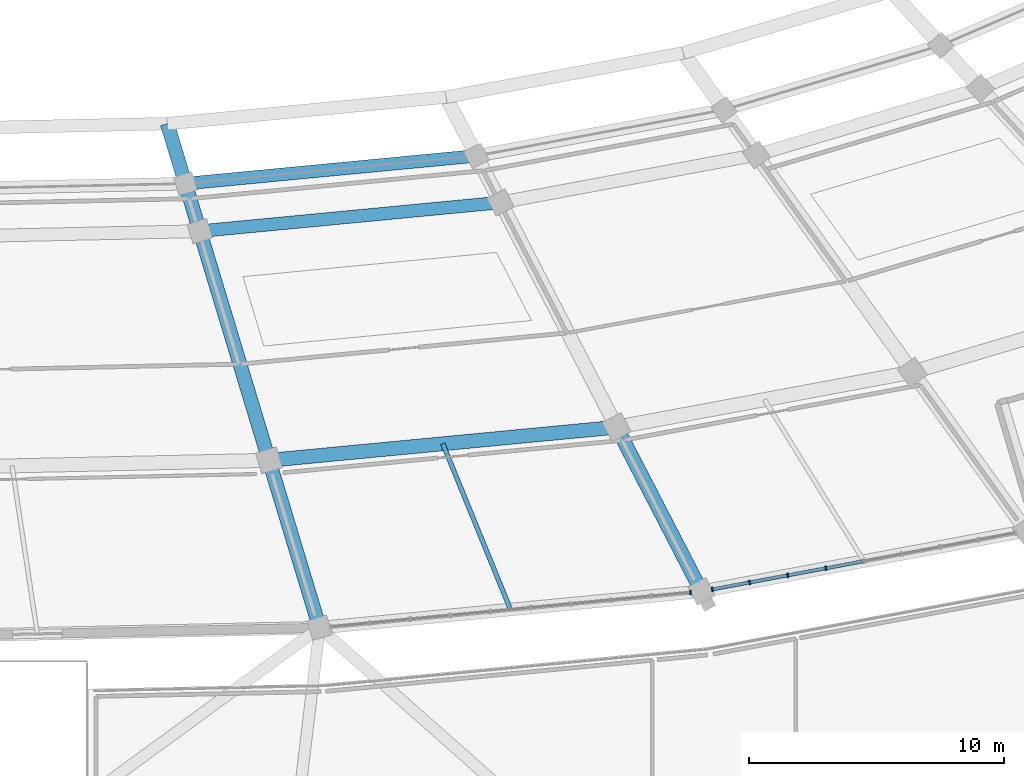
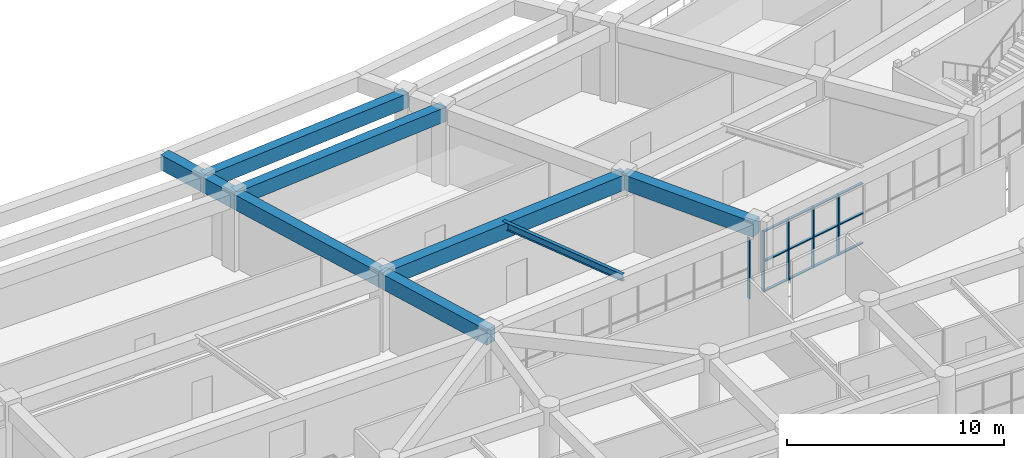
# One storey, part 34 of 145: 17 members, 7 beams, 2 elements without a shape of their own.
"""IFC4 building model written with IfcOpenShell, lengths in metres."""

from ifc_helpers import new_model, si_unit, direction, frame, origin, origin_2d, place, context, subcontext, project, spatial, rectangle, i_section, extrude, material, layer, layer_set, material_profile, profile_set, type_object, element, aggregate, save


model = new_model("IFC4")

# Units and contexts
model_context = context("Model", 3, precision=1e-05, world=origin(), true_north=direction((0.0, 1.0)))
body_context = subcontext(model_context, "Body", "Model", "MODEL_VIEW")
ifc_project = project(units=[si_unit("LENGTHUNIT", "METRE"), si_unit("AREAUNIT", "SQUARE_METRE"), si_unit("VOLUMEUNIT", "CUBIC_METRE"), si_unit("PLANEANGLEUNIT", "RADIAN"), si_unit("MASSUNIT", "GRAM", prefix="KILO")], contexts=[model_context])

# Site, building, storey
site_placement = place(None, origin())
site = spatial("IfcSite", under=ifc_project, at=site_placement, CompositionType="ELEMENT")
building_placement = place(site_placement, origin())
building = spatial("IfcBuilding", under=site, at=building_placement, Name="Mphavela Belvedere Stadium", CompositionType="ELEMENT")
storey_placement = place(building_placement, frame((0.0, 0.0, 10.199951171875)))
storey = spatial("IfcBuildingStorey", under=building, at=storey_placement, Name="L02", CompositionType="ELEMENT", Elevation=10.199951171875)

# Beams
ifc_material_1 = material(Name="Steel S355", Category="steel")
ifc_material_profile_1 = material_profile(ifc_material_1, i_section(OverallWidth=0.179931640625, OverallDepth=0.39990234375, WebThickness=0.008544921875, FlangeThickness=0.013427734375, at=origin_2d()), Name="IPE 400")
ifc_profile_set_1 = profile_set([ifc_material_profile_1], Name="Steel S355")
beam_type_1 = type_object("IfcBeamType", Name="BM-JOIST-IPE400", PredefinedType="JOIST", material=ifc_profile_set_1)
beam_1_placement = place(storey_placement, frame((141.94140625, 21.015380859375, 4.050048828125), z_axis=(0.378004122754, -0.925803911841, 0.0), x_axis=(0.925803911841, 0.378004122754, 0.0)))
element("IfcBeam", 1, at=beam_1_placement, inside=storey, type_object=beam_type_1, Name="Concourse floor joist L02-38", PredefinedType="JOIST", context=body_context, shape_type="SweptSolid", body=[
    extrude(i_section(OverallWidth=0.179931640625, OverallDepth=0.39990234375, WebThickness=0.008544921875, FlangeThickness=0.013427734375, at=origin_2d()), origin(), (0.0, 0.0, 1.0), 7.0166015625),
])
ifc_material_2 = material(Name="Concrete C40/50", Category="concrete")
ifc_material_profile_2 = material_profile(ifc_material_2, rectangle(XDim=0.5, YDim=0.800048828125, at=origin_2d()), Name="RC 500x800")
ifc_profile_set_2 = profile_set([ifc_material_profile_2], Name="Concrete C40/50")
beam_type_2 = type_object("IfcBeamType", Name="BM-RC500x800", PredefinedType="BEAM", material=ifc_profile_set_2)
beam_2_placement = place(storey_placement, frame((131.857177734375, 31.20703125, 3.85009765625), z_axis=(0.995485216305, 0.094916722014, 0.0), x_axis=(-0.094916722014, 0.995485216305, 0.0)))
element("IfcBeam", 2, at=beam_2_placement, inside=storey, type_object=beam_type_2, Name="Circumferential girder L02 R1-38", PredefinedType="BEAM", context=body_context, shape_type="SweptSolid", body=[
    extrude(rectangle(XDim=0.5, YDim=0.800048828125, at=origin_2d()), origin(), (0.0, 0.0, 1.0), 11.453857421875),
])
beam_3_placement = place(storey_placement, frame((132.42041015625, 29.342529296875, 3.85009765625), z_axis=(0.9954829494, 0.094940494283, 0.0), x_axis=(-0.094940494283, 0.9954829494, 0.0)))
element("IfcBeam", 3, at=beam_3_placement, inside=storey, type_object=beam_type_2, Name="Circumferential girder L02 R2-38", PredefinedType="BEAM", context=body_context, shape_type="SweptSolid", body=[
    extrude(rectangle(XDim=0.5, YDim=0.800048828125, at=origin_2d()), origin(), (0.0, 0.0, 1.0), 11.836669921875),
])
ifc_material_3 = material(Name="Concrete C40/50", Category="concrete")
ifc_material_profile_3 = material_profile(ifc_material_3, rectangle(XDim=0.550048828125, YDim=0.85009765625, at=origin_2d()), Name="RC 550x850")
ifc_profile_set_3 = profile_set([ifc_material_profile_3], Name="Concrete C40/50")
beam_type_3 = type_object("IfcBeamType", Name="BM-RC550x850", PredefinedType="BEAM", material=ifc_profile_set_3)
beam_4_placement = place(storey_placement, frame((135.1328125, 20.365966796875, 3.824951171875), z_axis=(0.995483834103, 0.094931217412, 0.0), x_axis=(-0.094931217412, 0.995483834103, 0.0)))
element("IfcBeam", 4, at=beam_4_placement, inside=storey, type_object=beam_type_3, Name="Circumferential girder L02 R3-38", PredefinedType="BEAM", context=body_context, shape_type="SweptSolid", body=[
    extrude(rectangle(XDim=0.550048828125, YDim=0.85009765625, at=origin_2d()), origin(), (0.0, 0.0, 1.0), 13.67919921875),
])
beam_5_placement = place(storey_placement, frame((135.1328125, 20.365966796875, 3.824951171875), z_axis=(0.28918755919, -0.95727245631, 0.0), x_axis=(0.95727245631, 0.28918755919, 0.0)))
element("IfcBeam", 5, at=beam_5_placement, inside=storey, type_object=beam_type_3, Name="Radial concourse girder L02 R3R4-38", PredefinedType="BEAM", context=body_context, shape_type="SweptSolid", body=[
    extrude(rectangle(XDim=0.550048828125, YDim=0.85009765625, at=origin_2d()), origin(), (0.0, 0.0, 1.0), 6.8525390625),
])
beam_6_placement = place(storey_placement, frame((148.750244140625, 21.66455078125, 3.824951171875), z_axis=(0.458951286165, -0.888461432436, 0.0), x_axis=(0.888461432436, 0.458951286165, 0.0)))
element("IfcBeam", 6, at=beam_6_placement, inside=storey, type_object=beam_type_3, Name="Radial concourse girder L02 R3R4-39", PredefinedType="BEAM", context=body_context, shape_type="SweptSolid", body=[
    extrude(rectangle(XDim=0.550048828125, YDim=0.85009765625, at=origin_2d()), origin(), (0.0, 0.0, 1.0), 7.2392578125),
])
beam_7_placement = place(storey_placement, frame((131.14794921875, 33.5546875, 3.824951171875), z_axis=(0.289228268404, -0.957260157301, 0.0), x_axis=(0.957260157301, 0.289228268404, 0.0)))
element("IfcBeam", 7, at=beam_7_placement, inside=storey, type_object=beam_type_3, Name="Upper tier box-front outrigger girder 38", PredefinedType="BEAM", context=body_context, shape_type="SweptSolid", body=[
    extrude(rectangle(XDim=0.550048828125, YDim=0.85009765625, at=origin_2d()), origin(), (0.0, 0.0, 1.0), 13.777587890625),
])

# Curtain wall, member
ifc_material_4 = material(Name="Anodised bronze unitised curtain wall framing")
ifc_layer_1 = layer(ifc_material_4, 0.199951171875)
ifc_layer_set_1 = layer_set([ifc_layer_1], Name="Anodised bronze unitised curtain wall framing")
curtain_wall_type_1 = type_object("IfcCurtainWallType", Name="CW-UNIT-05", PredefinedType="USERDEFINED", material=ifc_layer_set_1)
curtain_wall_1_placement = place(storey_placement, origin())
curtain_wall_1 = element("IfcCurtainWall", 8, at=curtain_wall_1_placement, inside=storey, type_object=curtain_wall_type_1, Name="Belvedere colonnade curtain wall L02-38", ObjectType="UNITISED CURTAIN WALL", PredefinedType="USERDEFINED")
ifc_material_5 = material(Name="Anodised bronze extruded aluminium", Category="aluminium")
ifc_material_profile_4 = material_profile(ifc_material_5, rectangle(XDim=0.179931640625, YDim=0.06494140625, at=origin_2d()), Name="CW-MUL 180x65")
ifc_profile_set_4 = profile_set([ifc_material_profile_4], Name="Anodised bronze extruded aluminium")
member_type_1 = type_object("IfcMemberType", Name="CWM-180x65", PredefinedType="MULLION", material=ifc_profile_set_4)
member_1_placement = place(storey_placement, frame((151.644287109375, 15.191650390625, 0.0), z_axis=(0.0, 0.0, 1.0), x_axis=(-0.094925825406, 0.99548434828, 0.0)))
member_1 = element("IfcMember", 9, at=member_1_placement, type_object=member_type_1, Name="CW-05 mullion 10", PredefinedType="MULLION", context=body_context, shape_type="SweptSolid", body=[
    extrude(rectangle(XDim=0.179931640625, YDim=0.06494140625, at=origin_2d()), origin(), (0.0, 0.0, 1.0), 3.420166015625),
])
aggregate(curtain_wall_1, [member_1])

# Curtain wall, members
ifc_material_6 = material(Name="Anodised bronze unitised curtain wall framing")
ifc_layer_2 = layer(ifc_material_6, 0.205078125)
ifc_layer_set_2 = layer_set([ifc_layer_2], Name="Anodised bronze unitised curtain wall framing")
curtain_wall_type_2 = type_object("IfcCurtainWallType", Name="CW-UNIT-06", PredefinedType="USERDEFINED", material=ifc_layer_set_2)
curtain_wall_2_placement = place(storey_placement, origin())
curtain_wall_2 = element("IfcCurtainWall", 10, at=curtain_wall_2_placement, inside=storey, type_object=curtain_wall_type_2, Name="Belvedere colonnade curtain wall L02-39", ObjectType="UNITISED CURTAIN WALL", PredefinedType="USERDEFINED")
member_2_placement = place(storey_placement, frame((152.49609375, 15.3115234375, 0.0), z_axis=(0.0, 0.0, 1.0), x_axis=(-0.1830849431, 0.983097097753, 0.0)))
member_2 = element("IfcMember", 11, at=member_2_placement, type_object=member_type_1, Name="CW-06 mullion 1", PredefinedType="MULLION", context=body_context, shape_type="SweptSolid", body=[
    extrude(rectangle(XDim=0.179931640625, YDim=0.06494140625, at=origin_2d()), origin(), (0.0, 0.0, 1.0), 3.420166015625),
])
member_3_placement = place(storey_placement, frame((153.957275390625, 15.58349609375, 0.0), z_axis=(0.0, 0.0, 1.0), x_axis=(-0.1830849431, 0.983097097753, 0.0)))
member_3 = element("IfcMember", 12, at=member_3_placement, type_object=member_type_1, Name="CW-06 mullion 2", PredefinedType="MULLION", context=body_context, shape_type="SweptSolid", body=[
    extrude(rectangle(XDim=0.179931640625, YDim=0.06494140625, at=origin_2d()), origin(), (0.0, 0.0, 1.0), 3.420166015625),
])
member_4_placement = place(storey_placement, frame((155.450439453125, 15.861572265625, 0.0), z_axis=(0.0, 0.0, 1.0), x_axis=(-0.1830849431, 0.983097097753, 0.0)))
member_4 = element("IfcMember", 13, at=member_4_placement, type_object=member_type_1, Name="CW-06 mullion 3", PredefinedType="MULLION", context=body_context, shape_type="SweptSolid", body=[
    extrude(rectangle(XDim=0.179931640625, YDim=0.06494140625, at=origin_2d()), origin(), (0.0, 0.0, 1.0), 3.420166015625),
])
member_5_placement = place(storey_placement, frame((156.94384765625, 16.1396484375, 0.0), z_axis=(0.0, 0.0, 1.0), x_axis=(-0.1830849431, 0.983097097753, 0.0)))
member_5 = element("IfcMember", 14, at=member_5_placement, type_object=member_type_1, Name="CW-06 mullion 4", PredefinedType="MULLION", context=body_context, shape_type="SweptSolid", body=[
    extrude(rectangle(XDim=0.179931640625, YDim=0.06494140625, at=origin_2d()), origin(), (0.0, 0.0, 1.0), 3.420166015625),
])
ifc_material_7 = material(Name="Anodised bronze extruded aluminium", Category="aluminium")
ifc_material_profile_5 = material_profile(ifc_material_7, rectangle(XDim=0.139892578125, YDim=0.06005859375, at=origin_2d()), Name="CW-TRN 140x60")
ifc_profile_set_5 = profile_set([ifc_material_profile_5], Name="Anodised bronze extruded aluminium")
member_type_2 = type_object("IfcMemberType", Name="CWT-140x60", PredefinedType="USERDEFINED", material=ifc_profile_set_5)
member_6_placement = place(storey_placement, frame((152.528076171875, 15.3173828125, 0.030029296875), z_axis=(0.98309123567, 0.183116417477, 0.0), x_axis=(-0.183116417477, 0.98309123567, 0.0)))
member_6 = element("IfcMember", 15, at=member_6_placement, type_object=member_type_2, Name="CW-06 transom 1.1", ObjectType="TRANSOM", PredefinedType="USERDEFINED", context=body_context, shape_type="SweptSolid", body=[
    extrude(rectangle(XDim=0.139892578125, YDim=0.06005859375, at=origin_2d()), origin(), (0.0, 0.0, 1.0), 1.421142578125),
])
member_7_placement = place(storey_placement, frame((152.528076171875, 15.3173828125, 1.7099609375), z_axis=(0.98309123567, 0.183116417477, 0.0), x_axis=(-0.183116417477, 0.98309123567, 0.0)))
member_7 = element("IfcMember", 16, at=member_7_placement, type_object=member_type_2, Name="CW-06 transom 1.2", ObjectType="TRANSOM", PredefinedType="USERDEFINED", context=body_context, shape_type="SweptSolid", body=[
    extrude(rectangle(XDim=0.139892578125, YDim=0.06005859375, at=origin_2d()), origin(), (0.0, 0.0, 1.0), 1.421142578125),
])
member_8_placement = place(storey_placement, frame((152.528076171875, 15.3173828125, 3.39013671875), z_axis=(0.98309123567, 0.183116417477, 0.0), x_axis=(-0.183116417477, 0.98309123567, 0.0)))
member_8 = element("IfcMember", 17, at=member_8_placement, type_object=member_type_2, Name="CW-06 transom 1.3", ObjectType="TRANSOM", PredefinedType="USERDEFINED", context=body_context, shape_type="SweptSolid", body=[
    extrude(rectangle(XDim=0.139892578125, YDim=0.06005859375, at=origin_2d()), origin(), (0.0, 0.0, 1.0), 1.421142578125),
])
member_9_placement = place(storey_placement, frame((153.9892578125, 15.589599609375, 0.030029296875), z_axis=(0.983108977499, 0.18302114184, 0.0), x_axis=(-0.18302114184, 0.983108977499, 0.0)))
member_9 = element("IfcMember", 18, at=member_9_placement, type_object=member_type_2, Name="CW-06 transom 2.1", ObjectType="TRANSOM", PredefinedType="USERDEFINED", context=body_context, shape_type="SweptSolid", body=[
    extrude(rectangle(XDim=0.139892578125, YDim=0.06005859375, at=origin_2d()), origin(), (0.0, 0.0, 1.0), 1.4541015625),
])
member_10_placement = place(storey_placement, frame((153.9892578125, 15.589599609375, 1.7099609375), z_axis=(0.983108977499, 0.18302114184, 0.0), x_axis=(-0.18302114184, 0.983108977499, 0.0)))
member_10 = element("IfcMember", 19, at=member_10_placement, type_object=member_type_2, Name="CW-06 transom 2.2", ObjectType="TRANSOM", PredefinedType="USERDEFINED", context=body_context, shape_type="SweptSolid", body=[
    extrude(rectangle(XDim=0.139892578125, YDim=0.06005859375, at=origin_2d()), origin(), (0.0, 0.0, 1.0), 1.4541015625),
])
member_11_placement = place(storey_placement, frame((153.9892578125, 15.589599609375, 3.39013671875), z_axis=(0.983108977499, 0.18302114184, 0.0), x_axis=(-0.18302114184, 0.983108977499, 0.0)))
member_11 = element("IfcMember", 20, at=member_11_placement, type_object=member_type_2, Name="CW-06 transom 2.3", ObjectType="TRANSOM", PredefinedType="USERDEFINED", context=body_context, shape_type="SweptSolid", body=[
    extrude(rectangle(XDim=0.139892578125, YDim=0.06005859375, at=origin_2d()), origin(), (0.0, 0.0, 1.0), 1.4541015625),
])
member_12_placement = place(storey_placement, frame((155.482421875, 15.86767578125, 0.030029296875), z_axis=(0.983108977499, 0.18302114184, 0.0), x_axis=(-0.18302114184, 0.983108977499, 0.0)))
member_12 = element("IfcMember", 21, at=member_12_placement, type_object=member_type_2, Name="CW-06 transom 3.1", ObjectType="TRANSOM", PredefinedType="USERDEFINED", context=body_context, shape_type="SweptSolid", body=[
    extrude(rectangle(XDim=0.139892578125, YDim=0.06005859375, at=origin_2d()), origin(), (0.0, 0.0, 1.0), 1.4541015625),
])
member_13_placement = place(storey_placement, frame((155.482421875, 15.86767578125, 1.7099609375), z_axis=(0.983108977499, 0.18302114184, 0.0), x_axis=(-0.18302114184, 0.983108977499, 0.0)))
member_13 = element("IfcMember", 22, at=member_13_placement, type_object=member_type_2, Name="CW-06 transom 3.2", ObjectType="TRANSOM", PredefinedType="USERDEFINED", context=body_context, shape_type="SweptSolid", body=[
    extrude(rectangle(XDim=0.139892578125, YDim=0.06005859375, at=origin_2d()), origin(), (0.0, 0.0, 1.0), 1.4541015625),
])
member_14_placement = place(storey_placement, frame((155.482421875, 15.86767578125, 3.39013671875), z_axis=(0.983108977499, 0.18302114184, 0.0), x_axis=(-0.18302114184, 0.983108977499, 0.0)))
member_14 = element("IfcMember", 23, at=member_14_placement, type_object=member_type_2, Name="CW-06 transom 3.3", ObjectType="TRANSOM", PredefinedType="USERDEFINED", context=body_context, shape_type="SweptSolid", body=[
    extrude(rectangle(XDim=0.139892578125, YDim=0.06005859375, at=origin_2d()), origin(), (0.0, 0.0, 1.0), 1.4541015625),
])
member_15_placement = place(storey_placement, frame((156.975830078125, 16.145751953125, 0.030029296875), z_axis=(0.983103351692, 0.183051358617, 0.0), x_axis=(-0.183051358617, 0.983103351692, 0.0)))
member_15 = element("IfcMember", 24, at=member_15_placement, type_object=member_type_2, Name="CW-06 transom 4.1", ObjectType="TRANSOM", PredefinedType="USERDEFINED", context=body_context, shape_type="SweptSolid", body=[
    extrude(rectangle(XDim=0.139892578125, YDim=0.06005859375, at=origin_2d()), origin(), (0.0, 0.0, 1.0), 1.453857421875),
])
member_16_placement = place(storey_placement, frame((156.975830078125, 16.145751953125, 1.7099609375), z_axis=(0.983103351692, 0.183051358617, 0.0), x_axis=(-0.183051358617, 0.983103351692, 0.0)))
member_16 = element("IfcMember", 25, at=member_16_placement, type_object=member_type_2, Name="CW-06 transom 4.2", ObjectType="TRANSOM", PredefinedType="USERDEFINED", context=body_context, shape_type="SweptSolid", body=[
    extrude(rectangle(XDim=0.139892578125, YDim=0.06005859375, at=origin_2d()), origin(), (0.0, 0.0, 1.0), 1.453857421875),
])
member_17_placement = place(storey_placement, frame((156.975830078125, 16.145751953125, 3.39013671875), z_axis=(0.983103351692, 0.183051358617, 0.0), x_axis=(-0.183051358617, 0.983103351692, 0.0)))
member_17 = element("IfcMember", 26, at=member_17_placement, type_object=member_type_2, Name="CW-06 transom 4.3", ObjectType="TRANSOM", PredefinedType="USERDEFINED", context=body_context, shape_type="SweptSolid", body=[
    extrude(rectangle(XDim=0.139892578125, YDim=0.06005859375, at=origin_2d()), origin(), (0.0, 0.0, 1.0), 1.453857421875),
])
aggregate(curtain_wall_2, [member_2, member_3, member_4, member_5, member_6, member_7, member_8, member_9, member_10, member_11, member_12, member_13, member_14, member_15, member_16, member_17])

save(model, "model.ifc")
